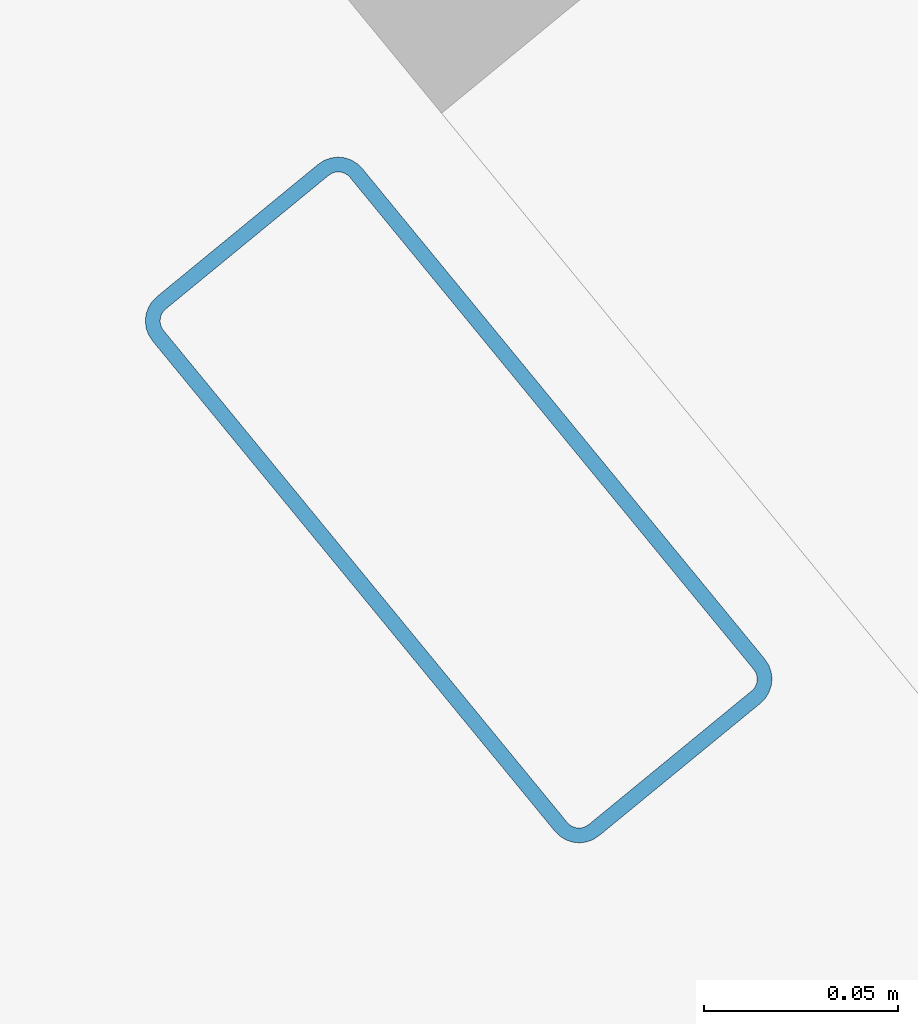
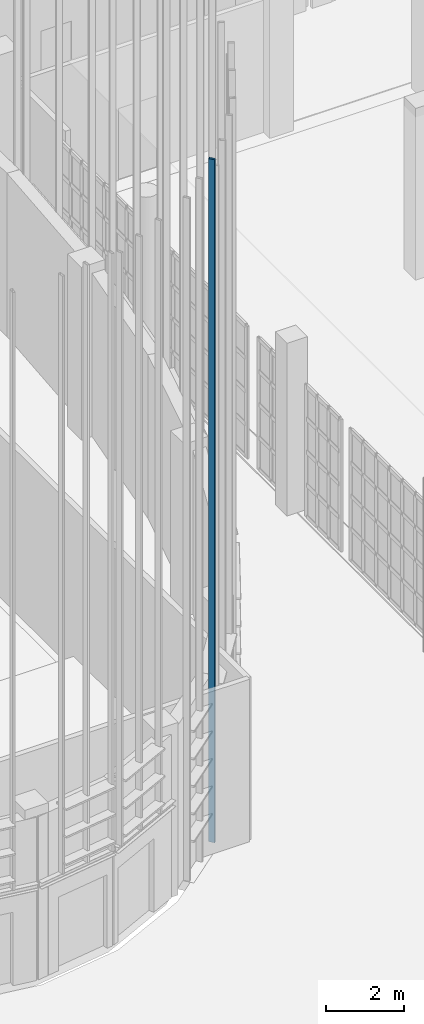
# One storey, part 200 of 372: 1 member.
"""IFC4 building model written with IfcOpenShell, lengths in metres."""

from ifc_helpers import new_model, si_unit, direction, frame, origin, origin_2d, place, context, subcontext, project, spatial, hollow_rectangle, extrude, material, material_profile, profile_set, type_object, element, save


model = new_model("IFC4")

# Units and contexts
model_context = context("Model", 3, precision=1e-05, world=origin(), true_north=direction((0.0, 1.0)))
body_context = subcontext(model_context, "Body", "Model", "MODEL_VIEW")
ifc_project = project(units=[si_unit("LENGTHUNIT", "METRE"), si_unit("AREAUNIT", "SQUARE_METRE"), si_unit("VOLUMEUNIT", "CUBIC_METRE"), si_unit("PLANEANGLEUNIT", "RADIAN"), si_unit("MASSUNIT", "GRAM", prefix="KILO")], contexts=[model_context])

# Site, building, storey
site_placement = place(None, origin())
site = spatial("IfcSite", under=ifc_project, at=site_placement, CompositionType="ELEMENT")
building_placement = place(site_placement, origin())
building = spatial("IfcBuilding", under=site, at=building_placement, Name="Kaelora Sail Theatre", CompositionType="ELEMENT")
storey_placement = place(building_placement, origin())
storey = spatial("IfcBuildingStorey", under=building, at=storey_placement, Name="L00", CompositionType="ELEMENT", Elevation=0.0)

# Member
ifc_material = material(Name="Anodised aluminium 6063-T6", Category="aluminium")
ifc_material_profile = material_profile(ifc_material, hollow_rectangle(XDim=0.070068359375, YDim=0.179931640625, WallThickness=0.00390625, InnerFilletRadius=0.00390625, OuterFilletRadius=0.008056640625, at=origin_2d()), Name="ALU-MULL 70x180x4")
ifc_profile_set = profile_set([ifc_material_profile], Name="Anodised aluminium 6063-T6")
member_type = type_object("IfcMemberType", Name="ARC-MEM-PST-160", PredefinedType="POST", material=ifc_profile_set)
member_placement = place(storey_placement, frame((97.568359375, 34.21337890625, 0.0), z_axis=(0.0, 0.0, 1.0), x_axis=(-0.773065811677, -0.63432582386, 0.0)))
element("IfcMember", 1, at=member_placement, inside=storey, type_object=member_type, Name="Studio Theatre Sail Drum solar louvre vertical support post C8-1", PredefinedType="POST", context=body_context, shape_type="SweptSolid", body=[
    extrude(hollow_rectangle(XDim=0.070068359375, YDim=0.179931640625, WallThickness=0.00390625, InnerFilletRadius=0.00390625, OuterFilletRadius=0.008056640625, at=origin_2d()), origin(), (0.0, 0.0, 1.0), 21.35986328125),
])

save(model, "model.ifc")
